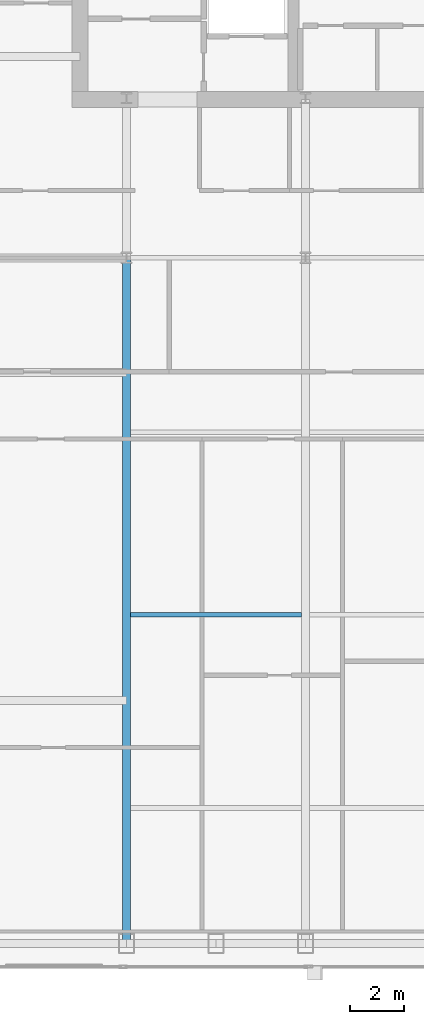
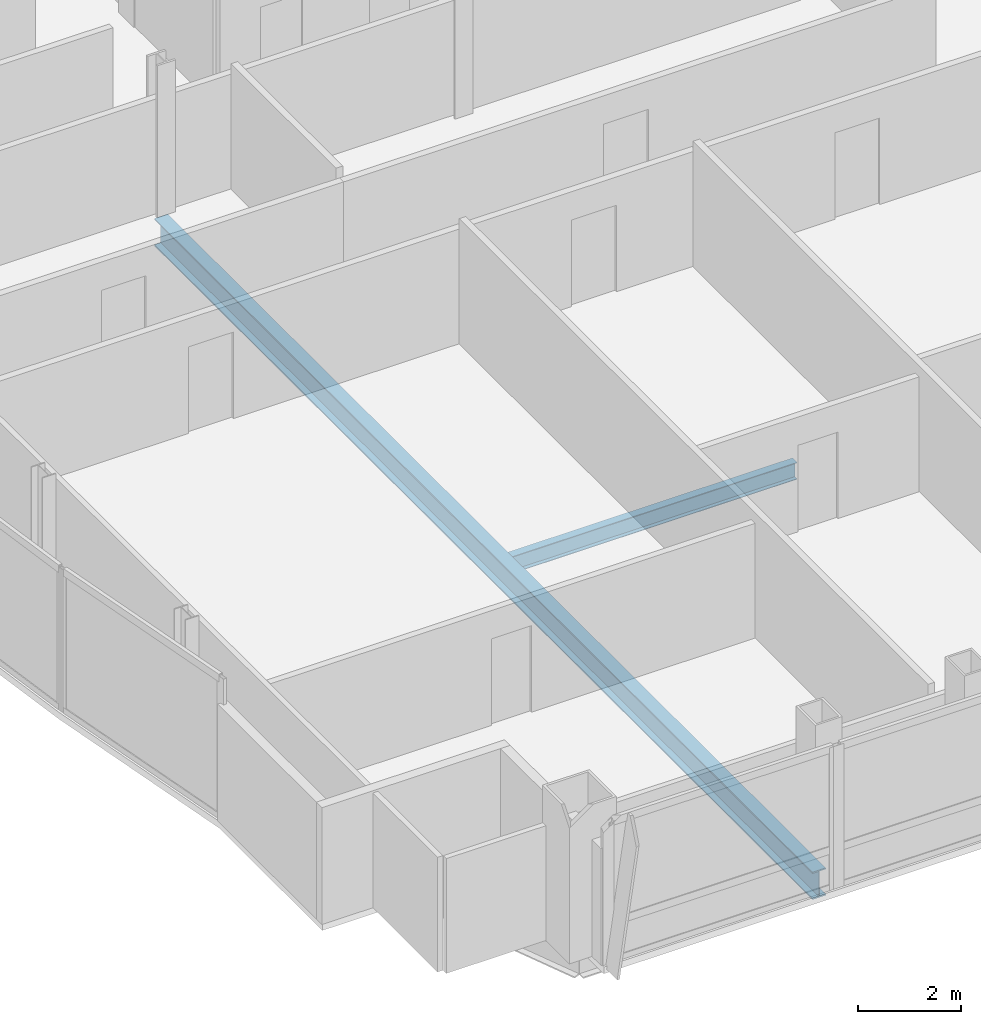
# One storey, part 7 of 30: 2 beams.
"""IFC4 building model written with IfcOpenShell, lengths in metres."""

from ifc_helpers import new_model, si_unit, direction, frame, origin, origin_2d, place, context, subcontext, project, spatial, i_section, extrude, material, material_profile, profile_set, type_object, element, save


model = new_model("IFC4")

# Units and contexts
model_context = context("Model", 3, precision=1e-05, world=origin(), true_north=direction((0.0, 1.0)))
body_context = subcontext(model_context, "Body", "Model", "MODEL_VIEW")
ifc_project = project(units=[si_unit("LENGTHUNIT", "METRE"), si_unit("AREAUNIT", "SQUARE_METRE"), si_unit("VOLUMEUNIT", "CUBIC_METRE"), si_unit("PLANEANGLEUNIT", "RADIAN"), si_unit("MASSUNIT", "GRAM", prefix="KILO")], contexts=[model_context])

# Site, building, storey
site_placement = place(None, origin())
site = spatial("IfcSite", under=ifc_project, at=site_placement, CompositionType="ELEMENT")
building_placement = place(site_placement, origin())
building = spatial("IfcBuilding", under=site, at=building_placement, Name="Khoronbel Lancet Exchange", CompositionType="ELEMENT")
storey_placement = place(building_placement, frame((0.0, 0.0, 253.39990234375)))
storey = spatial("IfcBuildingStorey", under=building, at=storey_placement, Name="L65", CompositionType="ELEMENT", Elevation=253.39990234375)

# Beams
ifc_material = material(Name="Steel S355", Category="steel")
ifc_material_profile_1 = material_profile(ifc_material, i_section(OverallWidth=0.300048828125, OverallDepth=0.64990234375, WebThickness=0.01611328125, FlangeThickness=0.031005859375, at=origin_2d()), Name="HEB 650")
ifc_profile_set_1 = profile_set([ifc_material_profile_1], Name="Steel S355")
beam_type_1 = type_object("IfcBeamType", Name="BM-BG4", PredefinedType="BEAM", material=ifc_profile_set_1)
beam_1_placement = place(storey_placement, frame((18.22509765625, 10.14990234375, -0.48486328125), z_axis=(0.0, 1.0, 0.0), x_axis=(-1.0, 0.0, 0.0)))
element("IfcBeam", 1, at=beam_1_placement, inside=storey, type_object=beam_type_1, Name="Level L65 south primary girder GS1", PredefinedType="BEAM", context=body_context, shape_type="SweptSolid", body=[
    extrude(i_section(OverallWidth=0.300048828125, OverallDepth=0.64990234375, WebThickness=0.01611328125, FlangeThickness=0.031005859375, at=origin_2d()), origin(), (0.0, 0.0, 1.0), 25.550048828125),
])
ifc_material_profile_2 = material_profile(ifc_material, i_section(OverallWidth=0.179931640625, OverallDepth=0.39990234375, WebThickness=0.008544921875, FlangeThickness=0.013427734375, at=origin_2d()), Name="IPE 400")
ifc_profile_set_2 = profile_set([ifc_material_profile_2], Name="Steel S355")
beam_type_2 = type_object("IfcBeamType", Name="BM-BJ5", PredefinedType="JOIST", material=ifc_profile_set_2)
beam_2_placement = place(storey_placement, frame((18.375, 22.39990234375, -0.35986328125), z_axis=(1.0, 0.0, 0.0), x_axis=(0.0, 1.0, 0.0)))
element("IfcBeam", 2, at=beam_2_placement, inside=storey, type_object=beam_type_2, Name="Level L65 secondary composite joist J06", PredefinedType="JOIST", context=body_context, shape_type="SweptSolid", body=[
    extrude(i_section(OverallWidth=0.179931640625, OverallDepth=0.39990234375, WebThickness=0.008544921875, FlangeThickness=0.013427734375, at=origin_2d()), origin(), (0.0, 0.0, 1.0), 6.375),
])

save(model, "model.ifc")
